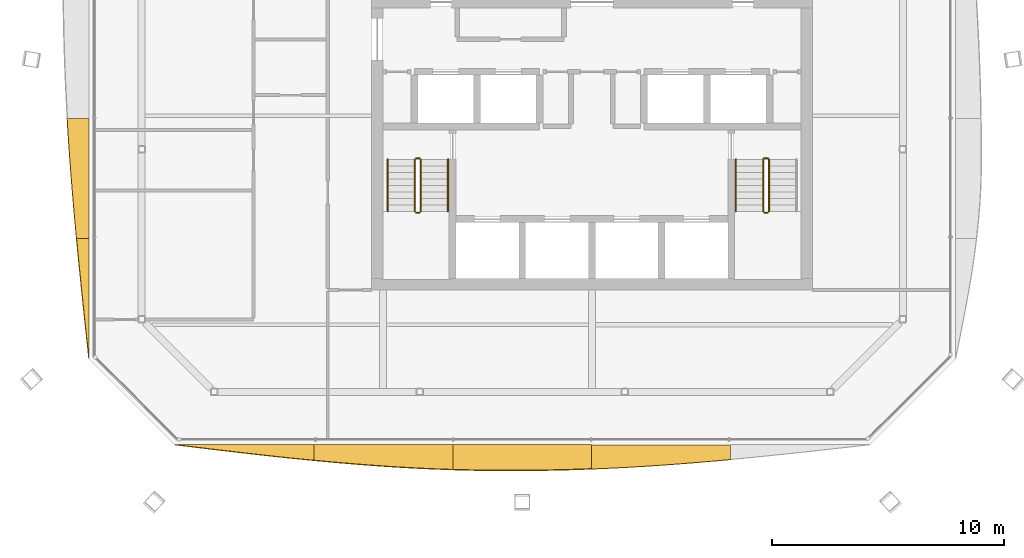
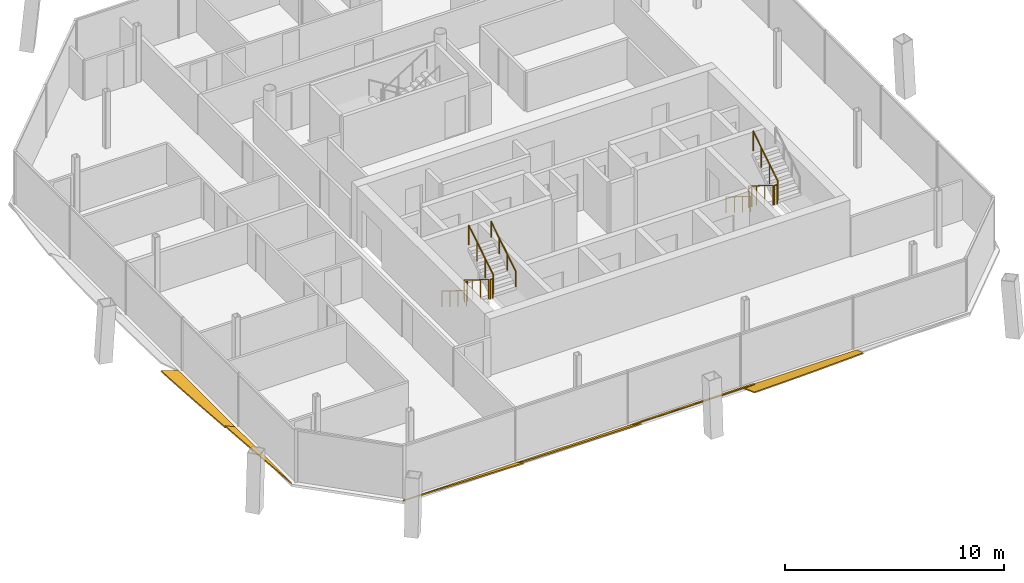
# One storey, part 15 of 17: 11 railings, 6 shading devices.
"""IFC4 building model written with IfcOpenShell, lengths in metres."""

from ifc_helpers import new_model, si_unit, direction, frame, origin, origin_2d, place, context, subcontext, project, spatial, polyline, circle, outline, extrude, material, layer, layer_set, type_object, element, save


model = new_model("IFC4")

# Units and contexts
model_context = context("Model", 3, precision=1e-05, world=origin(), true_north=direction((0.0, 1.0)))
body_context = subcontext(model_context, "Body", "Model", "MODEL_VIEW")
ifc_project = project(units=[si_unit("LENGTHUNIT", "METRE"), si_unit("AREAUNIT", "SQUARE_METRE"), si_unit("VOLUMEUNIT", "CUBIC_METRE"), si_unit("PLANEANGLEUNIT", "RADIAN"), si_unit("MASSUNIT", "GRAM", prefix="KILO")], contexts=[model_context])

# Site, building, storey
site_placement = place(None, origin())
site = spatial("IfcSite", under=ifc_project, at=site_placement, CompositionType="ELEMENT")
building_placement = place(site_placement, origin())
building = spatial("IfcBuilding", under=site, at=building_placement, Name="Tskaro Facet Tower", CompositionType="ELEMENT")
storey_placement = place(building_placement, frame((0.0, 0.0, 232.949951171875)))
storey = spatial("IfcBuildingStorey", under=building, at=storey_placement, Name="L60", CompositionType="ELEMENT", Elevation=232.949951171875)

# Shading devices
ifc_material_1 = material(Name="Bronze anodised aluminium 6063-T6", Category="aluminium")
ifc_layer = layer(ifc_material_1, 0.06005859375, Name="Bronze anodised aluminium 6063-T6")
ifc_layer_set = layer_set([ifc_layer], Name="Bronze anodised aluminium 6063-T6")
shading_device_type = type_object("IfcShadingDeviceType", Name="Bronze sun blade (FN1)", PredefinedType="USERDEFINED", material=ifc_layer_set)
shading_device_1_placement = place(storey_placement, frame((-17.947998046875, -18.656982421875, 0.052001953125), z_axis=(-4.44123e-07, 0.500010149738, 0.866019543751), x_axis=(1.0, 2.22066e-07, 3.84619e-07)))
element("IfcShadingDevice", 1, at=shading_device_1_placement, inside=storey, type_object=shading_device_type, Name="Fin blade south 1", ObjectType="FIN", PredefinedType="USERDEFINED", context=body_context, shape_type="SweptSolid", body=[
    extrude(outline(polyline([(0.0, 0.0), (5.97924804687441, 0.0), (5.979248046874967, -0.7797671550652635), (5.231689453134112, -0.6937960253782532), (4.484374999986375, -0.603554782286968), (3.7370605469006604, -0.5091654985818713), (2.989501953129005, -0.4115959692641213), (2.2421875000153118, -0.310968267124181), (1.4948730468513056, -0.2085836905063455), (0.7473144531058881, -0.10456431220107808), (0.0, 0.0)])), origin(), (0.0, 0.0, -1.0), 0.06005859375),
])
shading_device_2_placement = place(storey_placement, frame((-11.96875, -18.652587890625, 0.04931640625), z_axis=(1.919471e-06, 0.573528073694, 0.819185906056), x_axis=(0.999999999998, -1.100871e-06, -1.572404e-06)))
element("IfcShadingDevice", 2, at=shading_device_2_placement, inside=storey, type_object=shading_device_type, Name="Fin blade south 2", ObjectType="FIN", PredefinedType="USERDEFINED", context=body_context, shape_type="SweptSolid", body=[
    extrude(outline(polyline([(0.0, 0.0), (5.979248046863985, 6.330775119386313e-22), (5.979248047027403, -1.3103710546311669), (5.231689453120085, -1.277049762827778), (4.484375000105156, -1.2349881192608951), (3.7370605468586104, -1.1846661634943487), (2.9895019529090936, -1.1266239101486977), (2.242187499775373, -1.0610613557830382), (1.4946289063610965, -0.9885185150179296), (0.7473144531484872, -0.9092754308581056), (2.0372720447373563e-10, -0.8242721110423178), (0.0, 0.0)])), origin(), (0.0, 0.0, -1.0), 0.06005859375),
])
shading_device_3_placement = place(storey_placement, frame((-5.989501953125, -18.6484375, 0.0458984375), z_axis=(-9.315122e-06, 0.642837130791, 0.766002887194), x_axis=(0.999999999957, 5.988106e-06, 7.13541e-06)))
element("IfcShadingDevice", 3, at=shading_device_3_placement, inside=storey, type_object=shading_device_type, Name="Fin blade south 3", ObjectType="FIN", PredefinedType="USERDEFINED", context=body_context, shape_type="SweptSolid", body=[
    extrude(outline(polyline([(0.0, 0.0), (5.979003905990597, 0.0), (5.979003906990788, -1.3610255384070826), (5.23168945307271, -1.3956916745428964), (4.48437500058216, -1.422199691827366), (3.7368164056901634, -1.4405796600252394), (2.9895019528506817, -1.4508015093717685), (2.451416015592707, -1.4530522522905926), (2.2421874996966817, -1.4527082972080618), (1.4946289062248046, -1.445081145862888), (0.7473144522230888, -1.428107067759886), (-9.575163514315534e-12, -1.401412038051777), (0.0, 0.0)])), origin(), (0.0, 0.0, -1.0), 0.06005859375),
])
shading_device_4_placement = place(storey_placement, frame((-0.010498046875, -18.66650390625, 0.056396484375), z_axis=(-1.1103575e-05, 0.34204659831, 0.939682991472), x_axis=(0.999999999938, 3.79794e-06, 1.043384e-05)))
element("IfcShadingDevice", 4, at=shading_device_4_placement, inside=storey, type_object=shading_device_type, Name="Fin blade south 4", ObjectType="FIN", PredefinedType="USERDEFINED", context=body_context, shape_type="SweptSolid", body=[
    extrude(outline(polyline([(0.0, 0.0), (5.979248046506411, 0.0), (5.979248047327922, -0.6750176987341959), (5.231933592138312, -0.7469163433842996), (4.484619140902246, -0.8142679844115542), (3.7370605469728595, -0.8771350216682225), (2.989746093454585, -0.9350586255685968), (2.242187499331823, -0.9872670442638192), (1.494873047474636, -1.0340732000170396), (0.7475585940178531, -1.0748512483019588), (-7.362787826994615e-10, -1.1093717743257225), (0.0, 0.0)])), origin(), (0.0, 0.0, -1.0), 0.06005859375),
])
shading_device_5_placement = place(storey_placement, frame((-21.66650390625, -4.615478515625, 0.056396484375), z_axis=(0.342024852232, -8.48992e-07, 0.93969090687), x_axis=(-2.90376e-07, -1.0, -7.9779e-07)))
element("IfcShadingDevice", 5, at=shading_device_5_placement, inside=storey, type_object=shading_device_type, Name="Fin blade west 4", ObjectType="FIN", PredefinedType="USERDEFINED", context=body_context, shape_type="SweptSolid", body=[
    extrude(outline(polyline([(0.0, 0.0), (5.166259765623138, 0.0), (5.166259765678381, -0.5648021703253528), (4.428222656215858, -0.6373266571282384), (3.6901855468055964, -0.7064512156961433), (2.9521484374475944, -0.7721758460290676), (2.21411132819484, -0.8339582125152013), (1.4760742187107754, -0.8914229838651135), (0.7380371094558386, -0.9446325724817354), (2.257907558859262e-11, -0.9929822303503257), (0.0, 0.0)])), origin(), (0.0, 0.0, -1.0), 0.06005859375),
])
shading_device_6_placement = place(storey_placement, frame((-21.66162109375, -9.78173828125, 0.054443359375), z_axis=(0.422636320685, -8.549761e-06, 0.906299365753), x_axis=(-3.613439e-06, -0.999999999963, -7.748643e-06)))
element("IfcShadingDevice", 6, at=shading_device_6_placement, inside=storey, type_object=shading_device_type, Name="Fin blade west 5", ObjectType="FIN", PredefinedType="USERDEFINED", context=body_context, shape_type="SweptSolid", body=[
    extrude(outline(polyline([(0.0, 0.0), (5.166259765436178, 2.1879961177793273e-21), (4.428222656261326, -0.08727028294447112), (3.6901855463316706, -0.17377358971265813), (2.9521484384211574, -0.25962800210267784), (2.214111327991467, -0.34427290932921295), (1.4760742189534974, -0.4269562343186128), (0.7380371085333052, -0.5075598952727606), (-3.6778102983117035e-10, -0.5856562623070891), (0.0, 0.0)])), origin(), (0.0, 0.0, -1.0), 0.06005859375),
])

# Railings
ifc_material_2 = material(Name="Stainless steel", Category="steel")
railing_type_1 = type_object("IfcRailingType", Name="RL-GUARD-1100", PredefinedType="GUARDRAIL", material=ifc_material_2)
railing_1_placement = place(storey_placement, frame((-7.625, -6.375, 0.175048828125)))
element("IfcRailing", 7, at=railing_1_placement, inside=storey, type_object=railing_type_1, Name="L60 ST-1 stair guard 1", PredefinedType="GUARDRAIL", context=body_context, shape_type="SweptSolid", body=[
    extrude(circle(Radius=0.02392578125, at=origin_2d()), frame((0.0, 0.0, 1.076171875), z_axis=(0.0, -0.848013881152, 0.529974015752), x_axis=(1.0, 0.0, 0.0)), (0.0, 0.0, 1.0), 2.641357421875),
    extrude(circle(Radius=0.02099609375, at=origin_2d()), origin(), (0.0, 0.0, 1.0), 1.052001953125),
    extrude(circle(Radius=0.02099609375, at=origin_2d()), frame((0.0, -0.74658203125, 0.466552734375)), (0.0, 0.0, 1.0), 1.052001953125),
    extrude(circle(Radius=0.02099609375, at=origin_2d()), frame((0.0, -1.493408203125, 0.933349609375)), (0.0, 0.0, 1.0), 1.052001953125),
    extrude(circle(Radius=0.02099609375, at=origin_2d()), frame((0.0, -2.239990234375, 1.39990234375)), (0.0, 0.0, 1.0), 1.052001953125),
])
railing_2_placement = place(storey_placement, frame((-7.574951171875, -8.6650390625, 1.574951171875)))
element("IfcRailing", 8, at=railing_2_placement, inside=storey, type_object=railing_type_1, Name="L60 ST-1 stair guard 2", PredefinedType="GUARDRAIL", context=body_context, shape_type="SweptSolid", body=[
    extrude(circle(Radius=0.02392578125, at=origin_2d()), frame((0.0, 0.0, 1.076171875), z_axis=(1.0, 0.0, 0.0), x_axis=(0.0, 1.0, 0.0)), (0.0, 0.0, 1.0), 0.14990234375),
    extrude(circle(Radius=0.02099609375, at=origin_2d()), origin(), (0.0, 0.0, 1.0), 1.052001953125),
    extrude(circle(Radius=0.02099609375, at=origin_2d()), frame((0.14990234375, 0.0, 0.0)), (0.0, 0.0, 1.0), 1.052001953125),
])
railing_3_placement = place(storey_placement, frame((-7.375, -8.614990234375, 1.75)))
element("IfcRailing", 9, at=railing_3_placement, inside=storey, type_object=railing_type_1, Name="L60 ST-1 stair guard 3", PredefinedType="GUARDRAIL", context=body_context, shape_type="SweptSolid", body=[
    extrude(circle(Radius=0.02392578125, at=origin_2d()), frame((0.0, 0.0, 1.076171875), z_axis=(0.0, 0.847972341737, 0.530040477369), x_axis=(-1.0, 0.0, 0.0)), (0.0, 0.0, 1.0), 2.6416015625),
    extrude(circle(Radius=0.02099609375, at=origin_2d()), origin(), (0.0, 0.0, 1.0), 1.052001953125),
    extrude(circle(Radius=0.02099609375, at=origin_2d()), frame((0.0, 0.74658203125, 0.466796875)), (0.0, 0.0, 1.0), 1.052001953125),
    extrude(circle(Radius=0.02099609375, at=origin_2d()), frame((0.0, 1.493408203125, 0.933349609375)), (0.0, 0.0, 1.0), 1.052001953125),
    extrude(circle(Radius=0.02099609375, at=origin_2d()), frame((0.0, 2.239990234375, 1.400146484375)), (0.0, 0.0, 1.0), 1.052001953125),
])
railing_4_placement = place(storey_placement, frame((-7.574951171875, -6.324951171875, 0.0)))
element("IfcRailing", 10, at=railing_4_placement, inside=storey, type_object=railing_type_1, Name="L60 ST-1 stair guard 4", PredefinedType="GUARDRAIL", context=body_context, shape_type="SweptSolid", body=[
    extrude(circle(Radius=0.02392578125, at=origin_2d()), frame((0.0, 0.0, 1.076171875), z_axis=(1.0, 0.0, 0.0), x_axis=(0.0, 1.0, 0.0)), (0.0, 0.0, 1.0), 0.14990234375),
    extrude(circle(Radius=0.02099609375, at=origin_2d()), origin(), (0.0, 0.0, 1.0), 1.052001953125),
    extrude(circle(Radius=0.02099609375, at=origin_2d()), frame((0.14990234375, 0.0, 0.0)), (0.0, 0.0, 1.0), 1.052001953125),
])
railing_5_placement = place(storey_placement, frame((7.375, -6.375, 0.175048828125)))
element("IfcRailing", 11, at=railing_5_placement, inside=storey, type_object=railing_type_1, Name="L60 ST-2 stair guard 1", PredefinedType="GUARDRAIL", context=body_context, shape_type="SweptSolid", body=[
    extrude(circle(Radius=0.02392578125, at=origin_2d()), frame((0.0, 0.0, 1.076171875), z_axis=(0.0, -0.848013881152, 0.529974015752), x_axis=(1.0, 0.0, 0.0)), (0.0, 0.0, 1.0), 2.641357421875),
    extrude(circle(Radius=0.02099609375, at=origin_2d()), origin(), (0.0, 0.0, 1.0), 1.052001953125),
    extrude(circle(Radius=0.02099609375, at=origin_2d()), frame((0.0, -0.74658203125, 0.466552734375)), (0.0, 0.0, 1.0), 1.052001953125),
    extrude(circle(Radius=0.02099609375, at=origin_2d()), frame((0.0, -1.493408203125, 0.933349609375)), (0.0, 0.0, 1.0), 1.052001953125),
    extrude(circle(Radius=0.02099609375, at=origin_2d()), frame((0.0, -2.239990234375, 1.39990234375)), (0.0, 0.0, 1.0), 1.052001953125),
])
railing_6_placement = place(storey_placement, frame((7.425048828125, -8.6650390625, 1.574951171875)))
element("IfcRailing", 12, at=railing_6_placement, inside=storey, type_object=railing_type_1, Name="L60 ST-2 stair guard 2", PredefinedType="GUARDRAIL", context=body_context, shape_type="SweptSolid", body=[
    extrude(circle(Radius=0.02392578125, at=origin_2d()), frame((0.0, 0.0, 1.076171875), z_axis=(1.0, 0.0, 0.0), x_axis=(0.0, 1.0, 0.0)), (0.0, 0.0, 1.0), 0.14990234375),
    extrude(circle(Radius=0.02099609375, at=origin_2d()), origin(), (0.0, 0.0, 1.0), 1.052001953125),
    extrude(circle(Radius=0.02099609375, at=origin_2d()), frame((0.14990234375, 0.0, 0.0)), (0.0, 0.0, 1.0), 1.052001953125),
])
railing_7_placement = place(storey_placement, frame((7.625, -8.614990234375, 1.75)))
element("IfcRailing", 13, at=railing_7_placement, inside=storey, type_object=railing_type_1, Name="L60 ST-2 stair guard 3", PredefinedType="GUARDRAIL", context=body_context, shape_type="SweptSolid", body=[
    extrude(circle(Radius=0.02392578125, at=origin_2d()), frame((0.0, 0.0, 1.076171875), z_axis=(0.0, 0.847972341737, 0.530040477369), x_axis=(-1.0, 0.0, 0.0)), (0.0, 0.0, 1.0), 2.6416015625),
    extrude(circle(Radius=0.02099609375, at=origin_2d()), origin(), (0.0, 0.0, 1.0), 1.052001953125),
    extrude(circle(Radius=0.02099609375, at=origin_2d()), frame((0.0, 0.74658203125, 0.466796875)), (0.0, 0.0, 1.0), 1.052001953125),
    extrude(circle(Radius=0.02099609375, at=origin_2d()), frame((0.0, 1.493408203125, 0.933349609375)), (0.0, 0.0, 1.0), 1.052001953125),
    extrude(circle(Radius=0.02099609375, at=origin_2d()), frame((0.0, 2.239990234375, 1.400146484375)), (0.0, 0.0, 1.0), 1.052001953125),
])
railing_8_placement = place(storey_placement, frame((7.425048828125, -6.324951171875, 0.0)))
element("IfcRailing", 14, at=railing_8_placement, inside=storey, type_object=railing_type_1, Name="L60 ST-2 stair guard 4", PredefinedType="GUARDRAIL", context=body_context, shape_type="SweptSolid", body=[
    extrude(circle(Radius=0.02392578125, at=origin_2d()), frame((0.0, 0.0, 1.076171875), z_axis=(1.0, 0.0, 0.0), x_axis=(0.0, 1.0, 0.0)), (0.0, 0.0, 1.0), 0.14990234375),
    extrude(circle(Radius=0.02099609375, at=origin_2d()), origin(), (0.0, 0.0, 1.0), 1.052001953125),
    extrude(circle(Radius=0.02099609375, at=origin_2d()), frame((0.14990234375, 0.0, 0.0)), (0.0, 0.0, 1.0), 1.052001953125),
])
railing_type_2 = type_object("IfcRailingType", Name="RL-HANDRAIL-900", PredefinedType="HANDRAIL", material=ifc_material_2)
railing_9_placement = place(storey_placement, frame((-8.800048828125, -6.375, 0.175048828125)))
element("IfcRailing", 15, at=railing_9_placement, inside=storey, type_object=railing_type_2, Name="L60 ST-1 stair handrail 1", PredefinedType="HANDRAIL", context=body_context, shape_type="SweptSolid", body=[
    extrude(circle(Radius=0.02392578125, at=origin_2d()), frame((0.0, 0.0, 0.8759765625), z_axis=(0.0, -0.848013881152, 0.529974015752), x_axis=(1.0, 0.0, 0.0)), (0.0, 0.0, 1.0), 2.641357421875),
    extrude(circle(Radius=0.02099609375, at=origin_2d()), origin(), (0.0, 0.0, 1.0), 0.851806640625),
    extrude(circle(Radius=0.02099609375, at=origin_2d()), frame((0.0, -0.74658203125, 0.466552734375)), (0.0, 0.0, 1.0), 0.851806640625),
    extrude(circle(Radius=0.02099609375, at=origin_2d()), frame((0.0, -1.493408203125, 0.933349609375)), (0.0, 0.0, 1.0), 0.851806640625),
    extrude(circle(Radius=0.02099609375, at=origin_2d()), frame((0.0, -2.239990234375, 1.39990234375)), (0.0, 0.0, 1.0), 0.851806640625),
])
railing_10_placement = place(storey_placement, frame((-6.199951171875, -8.614990234375, 1.75)))
element("IfcRailing", 16, at=railing_10_placement, inside=storey, type_object=railing_type_2, Name="L60 ST-1 stair handrail 2", PredefinedType="HANDRAIL", context=body_context, shape_type="SweptSolid", body=[
    extrude(circle(Radius=0.02392578125, at=origin_2d()), frame((0.0, 0.0, 0.8759765625), z_axis=(0.0, 0.847972341737, 0.530040477369), x_axis=(-1.0, 0.0, 0.0)), (0.0, 0.0, 1.0), 2.6416015625),
    extrude(circle(Radius=0.02099609375, at=origin_2d()), origin(), (0.0, 0.0, 1.0), 0.851806640625),
    extrude(circle(Radius=0.02099609375, at=origin_2d()), frame((0.0, 0.74658203125, 0.466796875)), (0.0, 0.0, 1.0), 0.851806640625),
    extrude(circle(Radius=0.02099609375, at=origin_2d()), frame((0.0, 1.493408203125, 0.933349609375)), (0.0, 0.0, 1.0), 0.851806640625),
    extrude(circle(Radius=0.02099609375, at=origin_2d()), frame((0.0, 2.239990234375, 1.400146484375)), (0.0, 0.0, 1.0), 0.851806640625),
])
railing_11_placement = place(storey_placement, frame((6.199951171875, -6.375, 0.175048828125)))
element("IfcRailing", 17, at=railing_11_placement, inside=storey, type_object=railing_type_2, Name="L60 ST-2 stair handrail 1", PredefinedType="HANDRAIL", context=body_context, shape_type="SweptSolid", body=[
    extrude(circle(Radius=0.02392578125, at=origin_2d()), frame((0.0, 0.0, 0.8759765625), z_axis=(0.0, -0.848013881152, 0.529974015752), x_axis=(1.0, 0.0, 0.0)), (0.0, 0.0, 1.0), 2.641357421875),
    extrude(circle(Radius=0.02099609375, at=origin_2d()), origin(), (0.0, 0.0, 1.0), 0.851806640625),
    extrude(circle(Radius=0.02099609375, at=origin_2d()), frame((0.0, -0.74658203125, 0.466552734375)), (0.0, 0.0, 1.0), 0.851806640625),
    extrude(circle(Radius=0.02099609375, at=origin_2d()), frame((0.0, -1.493408203125, 0.933349609375)), (0.0, 0.0, 1.0), 0.851806640625),
    extrude(circle(Radius=0.02099609375, at=origin_2d()), frame((0.0, -2.239990234375, 1.39990234375)), (0.0, 0.0, 1.0), 0.851806640625),
])

save(model, "model.ifc")
